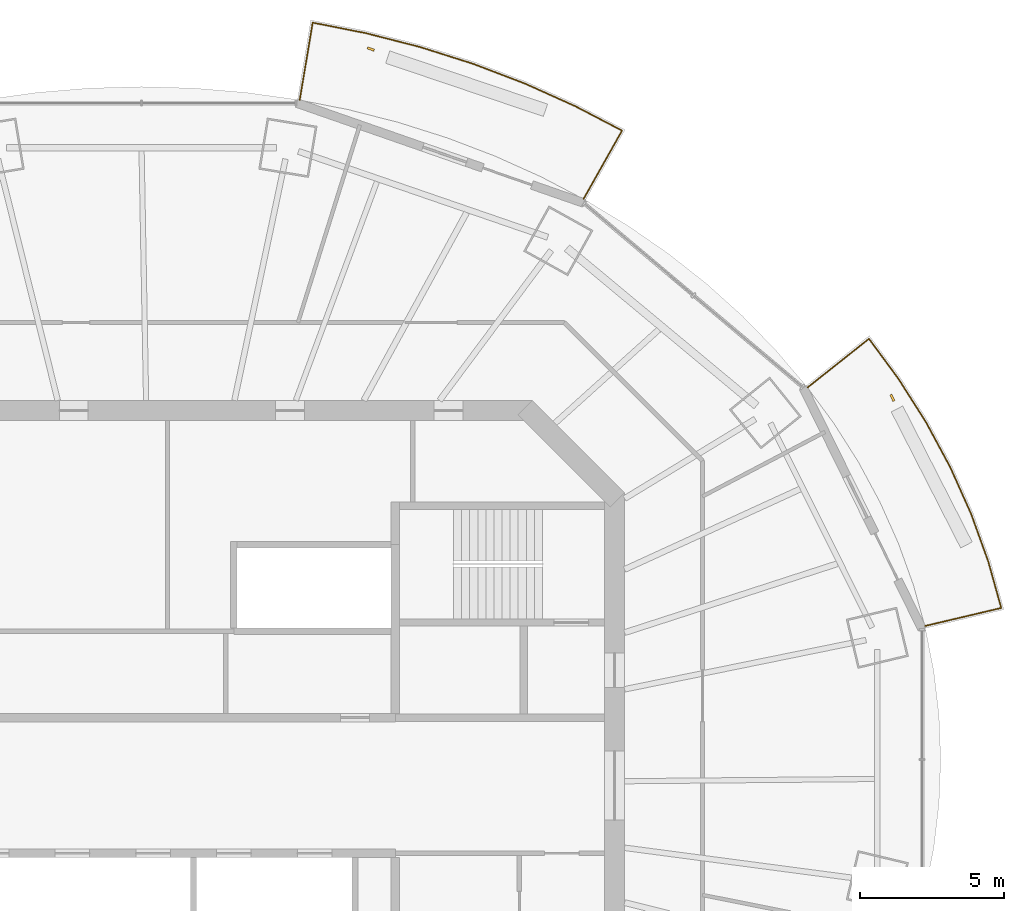
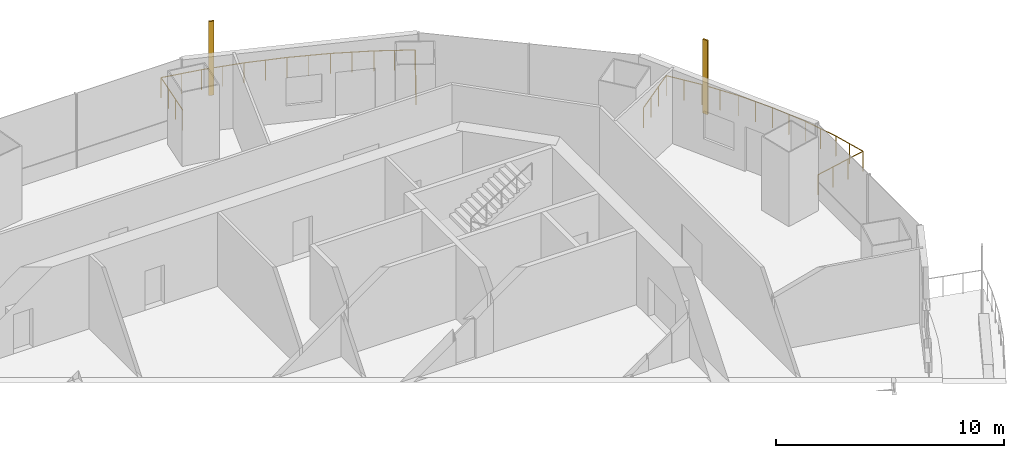
# One storey, part 15 of 16: 2 railings, 2 shading devices.
"""IFC4 building model written with IfcOpenShell, lengths in metres."""

from ifc_helpers import new_model, si_unit, direction, frame, origin, origin_2d, place, context, subcontext, project, spatial, rectangle, circle, extrude, material, material_profile, profile_set, type_object, element, save


model = new_model("IFC4")

# Units and contexts
model_context = context("Model", 3, precision=1e-05, world=origin(), true_north=direction((0.0, 1.0)))
body_context = subcontext(model_context, "Body", "Model", "MODEL_VIEW")
ifc_project = project(units=[si_unit("LENGTHUNIT", "METRE"), si_unit("AREAUNIT", "SQUARE_METRE"), si_unit("VOLUMEUNIT", "CUBIC_METRE"), si_unit("PLANEANGLEUNIT", "RADIAN"), si_unit("MASSUNIT", "GRAM", prefix="KILO")], contexts=[model_context])

# Site, building, storey
site_placement = place(None, origin())
site = spatial("IfcSite", under=ifc_project, at=site_placement, CompositionType="ELEMENT")
building_placement = place(site_placement, origin())
building = spatial("IfcBuilding", under=site, at=building_placement, Name="Marenthal Gate Tower", CompositionType="ELEMENT")
storey_placement = place(building_placement, frame((0.0, 0.0, 326.0)))
storey = spatial("IfcBuildingStorey", under=building, at=storey_placement, Name="L73", CompositionType="ELEMENT", Elevation=326.0)

# Railings
ifc_material_1 = material(Name="Stainless steel", Category="steel")
railing_type = type_object("IfcRailingType", Name="Balcony guard 1100", PredefinedType="GUARDRAIL", material=ifc_material_1)
railing_1_placement = place(storey_placement, frame((22.69140625, 13.797119140625, 0.0)))
element("IfcRailing", 1, at=railing_1_placement, inside=storey, type_object=railing_type, Name="Balcony guard L73 bay 1", PredefinedType="GUARDRAIL", context=body_context, shape_type="SweptSolid", body=[
    extrude(circle(Radius=0.02392578125, at=origin_2d()), frame((0.0, 0.0, 1.076171875), z_axis=(0.783491150454, 0.621228607496, -0.014718505003), x_axis=(-0.621295908171, 0.783576029808, 0.0)), (0.0, 0.0, 1.0), 2.72021484375),
    extrude(circle(Radius=0.02392578125, at=origin_2d()), frame((2.13134765625, 1.68994140625, 1.0361328125), z_axis=(0.592850645272, -0.805312431545, 0.0), x_axis=(0.805312431545, 0.592850645272, 0.0)), (0.0, 0.0, 1.0), 1.721435546875),
    extrude(circle(Radius=0.02392578125, at=origin_2d()), frame((3.15185546875, 0.3037109375, 1.0361328125), z_axis=(0.535974159658, -0.844234386991, 0.0), x_axis=(0.844234386991, 0.535974159658, 0.0)), (0.0, 0.0, 1.0), 1.788330078125),
    extrude(circle(Radius=0.02392578125, at=origin_2d()), frame((4.1103515625, -1.2060546875, 1.0361328125), z_axis=(0.47389491034, -0.880581406772, 0.0), x_axis=(0.880581406772, 0.47389491034, 0.0)), (0.0, 0.0, 1.0), 1.7763671875),
    extrude(circle(Radius=0.02392578125, at=origin_2d()), frame((4.9521484375, -2.770263671875, 1.0361328125), z_axis=(0.408087166089, -0.912942969124, 0.0), x_axis=(0.912942969124, 0.408087166089, 0.0)), (0.0, 0.0, 1.0), 1.76611328125),
    extrude(circle(Radius=0.02392578125, at=origin_2d()), frame((5.6728515625, -4.382568359375, 1.0361328125), z_axis=(0.338940900894, -0.940807666689, 0.0), x_axis=(0.940807666689, 0.338940900894, 0.0)), (0.0, 0.0, 1.0), 1.7568359375),
    extrude(circle(Radius=0.02392578125, at=origin_2d()), frame((6.268310546875, -6.035400390625, 1.0361328125), z_axis=(0.268767418185, -0.963205105324, 0.0), x_axis=(0.963205105324, 0.268767418185, 0.0)), (0.0, 0.0, 1.0), 1.669677734375),
    extrude(circle(Radius=0.02392578125, at=origin_2d()), frame((6.717041015625, -7.6435546875, 1.0361328125), z_axis=(-0.973162057354, -0.229649733011, 0.014717685117), x_axis=(0.229674609296, -0.97326747292, 0.0)), (0.0, 0.0, 1.0), 2.720458984375),
    extrude(circle(Radius=0.02099609375, at=origin_2d()), origin(), (0.0, 0.0, 1.0), 1.052001953125),
    extrude(circle(Radius=0.02099609375, at=origin_2d()), frame((0.71044921875, 0.563232421875, -0.013427734375)), (0.0, 0.0, 1.0), 1.052001953125),
    extrude(circle(Radius=0.02099609375, at=origin_2d()), frame((1.4208984375, 1.126708984375, -0.026611328125)), (0.0, 0.0, 1.0), 1.052001953125),
    extrude(circle(Radius=0.02099609375, at=origin_2d()), frame((2.13134765625, 1.68994140625, -0.0400390625)), (0.0, 0.0, 1.0), 1.052001953125),
    extrude(circle(Radius=0.02099609375, at=origin_2d()), frame((2.6416015625, 0.996826171875, -0.0400390625)), (0.0, 0.0, 1.0), 1.052001953125),
    extrude(circle(Radius=0.02099609375, at=origin_2d()), frame((3.15185546875, 0.3037109375, -0.0400390625)), (0.0, 0.0, 1.0), 1.052001953125),
    extrude(circle(Radius=0.02099609375, at=origin_2d()), frame((3.631103515625, -0.451171875, -0.0400390625)), (0.0, 0.0, 1.0), 1.052001953125),
    extrude(circle(Radius=0.02099609375, at=origin_2d()), frame((4.1103515625, -1.2060546875, -0.0400390625)), (0.0, 0.0, 1.0), 1.052001953125),
    extrude(circle(Radius=0.02099609375, at=origin_2d()), frame((4.53125, -1.98828125, -0.0400390625)), (0.0, 0.0, 1.0), 1.052001953125),
    extrude(circle(Radius=0.02099609375, at=origin_2d()), frame((4.9521484375, -2.770263671875, -0.0400390625)), (0.0, 0.0, 1.0), 1.052001953125),
    extrude(circle(Radius=0.02099609375, at=origin_2d()), frame((5.3125, -3.576416015625, -0.0400390625)), (0.0, 0.0, 1.0), 1.052001953125),
    extrude(circle(Radius=0.02099609375, at=origin_2d()), frame((5.6728515625, -4.382568359375, -0.0400390625)), (0.0, 0.0, 1.0), 1.052001953125),
    extrude(circle(Radius=0.02099609375, at=origin_2d()), frame((5.970703125, -5.208984375, -0.0400390625)), (0.0, 0.0, 1.0), 1.052001953125),
    extrude(circle(Radius=0.02099609375, at=origin_2d()), frame((6.268310546875, -6.035400390625, -0.0400390625)), (0.0, 0.0, 1.0), 1.052001953125),
    extrude(circle(Radius=0.02099609375, at=origin_2d()), frame((6.49267578125, -6.83935546875, -0.0400390625)), (0.0, 0.0, 1.0), 1.052001953125),
    extrude(circle(Radius=0.02099609375, at=origin_2d()), frame((6.717041015625, -7.6435546875, -0.0400390625)), (0.0, 0.0, 1.0), 1.052001953125),
    extrude(circle(Radius=0.02099609375, at=origin_2d()), frame((5.83447265625, -7.851806640625, -0.026611328125)), (0.0, 0.0, 1.0), 1.052001953125),
    extrude(circle(Radius=0.02099609375, at=origin_2d()), frame((4.9521484375, -8.06005859375, -0.013427734375)), (0.0, 0.0, 1.0), 1.052001953125),
    extrude(circle(Radius=0.02099609375, at=origin_2d()), frame((4.069580078125, -8.268310546875, 0.0)), (0.0, 0.0, 1.0), 1.052001953125),
])
railing_2_placement = place(storey_placement, frame((5.085205078125, 23.765625, 0.0)))
element("IfcRailing", 2, at=railing_2_placement, inside=storey, type_object=railing_type, Name="Balcony guard L73 bay 3", PredefinedType="GUARDRAIL", context=body_context, shape_type="SweptSolid", body=[
    extrude(circle(Radius=0.02392578125, at=origin_2d()), frame((0.0, 0.0, 1.076171875), z_axis=(0.165225230724, 0.986146026723, -0.014718597414), x_axis=(-0.986252861995, 0.165243130591, 0.0)), (0.0, 0.0, 1.0), 2.72021484375),
    extrude(circle(Radius=0.02392578125, at=origin_2d()), frame((0.449462890625, 2.6826171875, 1.0361328125), z_axis=(0.981044354343, -0.193783319228, 0.0), x_axis=(0.193783319228, 0.981044354343, 0.0)), (0.0, 0.0, 1.0), 1.8720703125),
    extrude(circle(Radius=0.02392578125, at=origin_2d()), frame((2.2861328125, 2.31982421875, 1.0361328125), z_axis=(0.968904264382, -0.247435903744, 0.0), x_axis=(0.247435903744, 0.968904264382, 0.0)), (0.0, 0.0, 1.0), 1.94482421875),
    extrude(circle(Radius=0.02392578125, at=origin_2d()), frame((4.17041015625, 1.838623046875, 1.0361328125), z_axis=(0.953258105079, -0.302157219178, 0.0), x_axis=(0.302157219178, 0.953258105079, 0.0)), (0.0, 0.0, 1.0), 1.93603515625),
    extrude(circle(Radius=0.02392578125, at=origin_2d()), frame((6.015869140625, 1.253662109375, 1.0361328125), z_axis=(0.93438727594, -0.356258920677, 0.0), x_axis=(0.356258920677, 0.93438727594, 0.0)), (0.0, 0.0, 1.0), 1.92578125),
    extrude(circle(Radius=0.02392578125, at=origin_2d()), frame((7.815185546875, 0.567626953125, 1.0361328125), z_axis=(0.911923891931, -0.410359373387, 0.0), x_axis=(0.410359373387, 0.911923891931, 0.0)), (0.0, 0.0, 1.0), 1.913818359375),
    extrude(circle(Radius=0.02392578125, at=origin_2d()), frame((9.560546875, -0.2177734375, 1.0361328125), z_axis=(0.886546608419, -0.462639288324, 0.0), x_axis=(0.462639288324, 0.886546608419, 0.0)), (0.0, 0.0, 1.0), 1.82177734375),
    extrude(circle(Radius=0.02392578125, at=origin_2d()), frame((11.175537109375, -1.060546875, 1.0361328125), z_axis=(-0.490566018996, -0.871279713211, 0.014718775543), x_axis=(0.871374106592, -0.49061916632, 0.0)), (0.0, 0.0, 1.0), 2.72021484375),
    extrude(circle(Radius=0.02099609375, at=origin_2d()), origin(), (0.0, 0.0, 1.0), 1.052001953125),
    extrude(circle(Radius=0.02099609375, at=origin_2d()), frame((0.14990234375, 0.894287109375, -0.013427734375)), (0.0, 0.0, 1.0), 1.052001953125),
    extrude(circle(Radius=0.02099609375, at=origin_2d()), frame((0.299560546875, 1.788330078125, -0.026611328125)), (0.0, 0.0, 1.0), 1.052001953125),
    extrude(circle(Radius=0.02099609375, at=origin_2d()), frame((0.449462890625, 2.6826171875, -0.0400390625)), (0.0, 0.0, 1.0), 1.052001953125),
    extrude(circle(Radius=0.02099609375, at=origin_2d()), frame((1.36767578125, 2.501220703125, -0.0400390625)), (0.0, 0.0, 1.0), 1.052001953125),
    extrude(circle(Radius=0.02099609375, at=origin_2d()), frame((2.2861328125, 2.31982421875, -0.0400390625)), (0.0, 0.0, 1.0), 1.052001953125),
    extrude(circle(Radius=0.02099609375, at=origin_2d()), frame((3.228271484375, 2.0791015625, -0.0400390625)), (0.0, 0.0, 1.0), 1.052001953125),
    extrude(circle(Radius=0.02099609375, at=origin_2d()), frame((4.17041015625, 1.838623046875, -0.0400390625)), (0.0, 0.0, 1.0), 1.052001953125),
    extrude(circle(Radius=0.02099609375, at=origin_2d()), frame((5.09326171875, 1.546142578125, -0.0400390625)), (0.0, 0.0, 1.0), 1.052001953125),
    extrude(circle(Radius=0.02099609375, at=origin_2d()), frame((6.015869140625, 1.253662109375, -0.0400390625)), (0.0, 0.0, 1.0), 1.052001953125),
    extrude(circle(Radius=0.02099609375, at=origin_2d()), frame((6.91552734375, 0.91064453125, -0.0400390625)), (0.0, 0.0, 1.0), 1.052001953125),
    extrude(circle(Radius=0.02099609375, at=origin_2d()), frame((7.815185546875, 0.567626953125, -0.0400390625)), (0.0, 0.0, 1.0), 1.052001953125),
    extrude(circle(Radius=0.02099609375, at=origin_2d()), frame((8.68798828125, 0.1748046875, -0.0400390625)), (0.0, 0.0, 1.0), 1.052001953125),
    extrude(circle(Radius=0.02099609375, at=origin_2d()), frame((9.560546875, -0.2177734375, -0.0400390625)), (0.0, 0.0, 1.0), 1.052001953125),
    extrude(circle(Radius=0.02099609375, at=origin_2d()), frame((10.3681640625, -0.63916015625, -0.0400390625)), (0.0, 0.0, 1.0), 1.052001953125),
    extrude(circle(Radius=0.02099609375, at=origin_2d()), frame((11.175537109375, -1.060546875, -0.0400390625)), (0.0, 0.0, 1.0), 1.052001953125),
    extrude(circle(Radius=0.02099609375, at=origin_2d()), frame((10.730712890625, -1.8505859375, -0.026611328125)), (0.0, 0.0, 1.0), 1.052001953125),
    extrude(circle(Radius=0.02099609375, at=origin_2d()), frame((10.285888671875, -2.640625, -0.013427734375)), (0.0, 0.0, 1.0), 1.052001953125),
    extrude(circle(Radius=0.02099609375, at=origin_2d()), frame((9.841064453125, -3.4306640625, 0.0)), (0.0, 0.0, 1.0), 1.052001953125),
])

# Shading devices
ifc_material_2 = material(Name="Terracotta", Category="masonry")
ifc_material_profile = material_profile(ifc_material_2, rectangle(XDim=0.25, YDim=0.080078125, at=origin_2d()), Name="Terracotta baguette 250x80")
ifc_profile_set = profile_set([ifc_material_profile], Name="Terracotta")
shading_device_type = type_object("IfcShadingDeviceType", Name="Terracotta BAGUETTE SCREEN 250x80", PredefinedType="USERDEFINED", material=ifc_profile_set)
for number, where, z_axis, x_axis, name in (
    (3, (25.633544921875, 13.438720703125, -0.0400390625), (0.0, 0.0, 1.0), (-0.441395261574, 0.897312778834, 0.0), "Terracotta BAGUETTE L73 bay 1R"),
    (4, (7.550537109375, 25.533203125, -0.0400390625), (0.0, 0.0, 1.0), (-0.944213856974, 0.329332950521, 0.0), "Terracotta BAGUETTE L73 bay 3R"),
):
    element("IfcShadingDevice", number, at=place(storey_placement, frame(where, z_axis=z_axis, x_axis=x_axis)), inside=storey, type_object=shading_device_type, Name=name, ObjectType="BAGUETTE SCREEN", PredefinedType="USERDEFINED", context=body_context, shape_type="SweptSolid", body=[
        extrude(rectangle(XDim=0.25, YDim=0.080078125, at=origin_2d()), origin(), (0.0, 0.0, 1.0), 3.969970703125),
    ])

save(model, "model.ifc")
